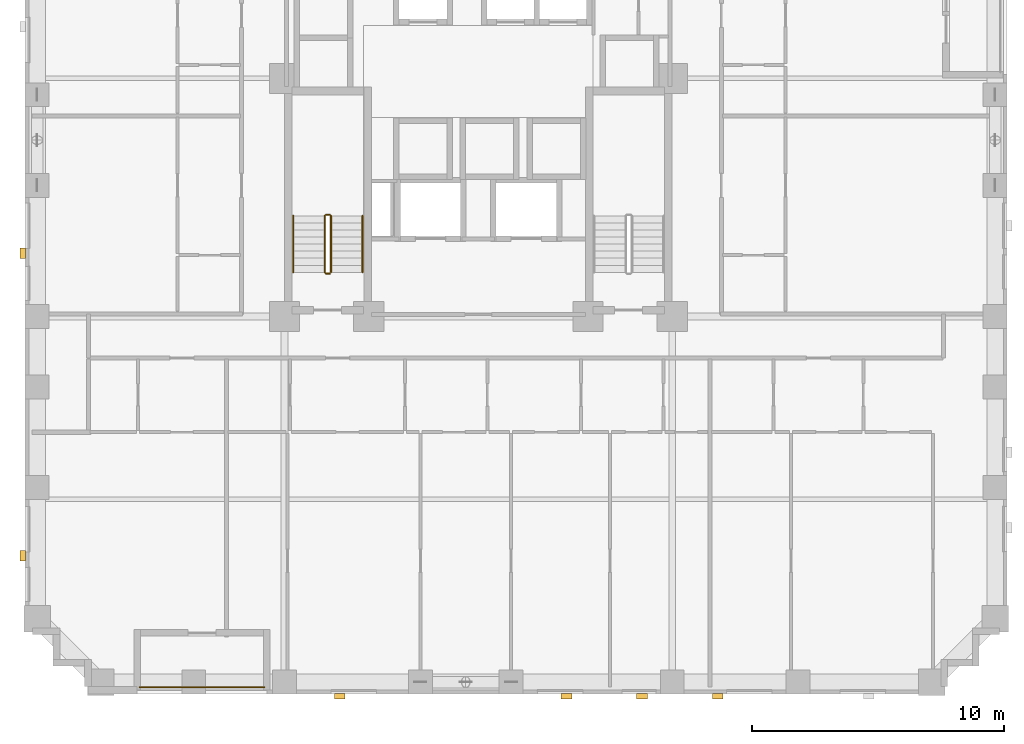
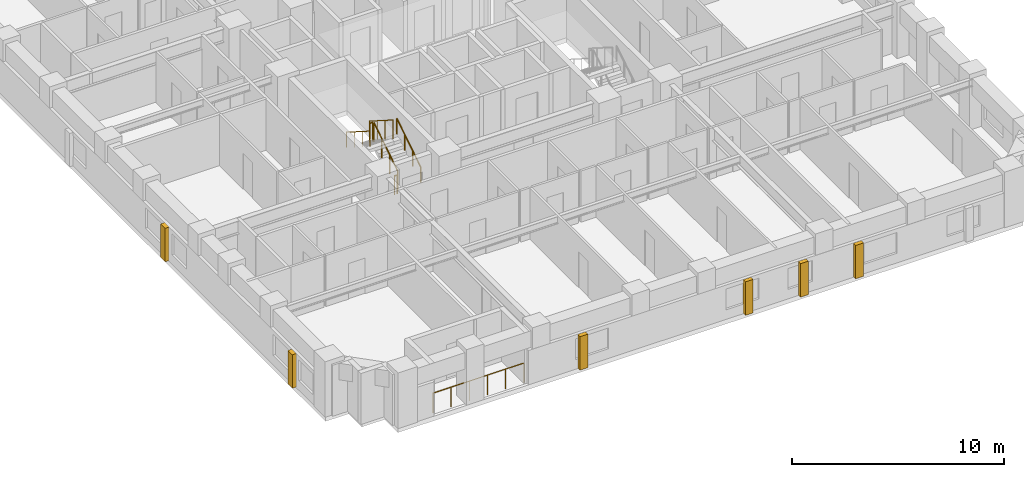
# One storey, part 11 of 13: 7 railings, 6 coverings.
"""IFC4 building model written with IfcOpenShell, lengths in metres."""

from ifc_helpers import new_model, si_unit, derived_unit, direction, frame, origin, origin_2d, place, context, subcontext, project, spatial, rectangle, circle, extrude, material, layer, layer_set, type_object, element, save


model = new_model("IFC4")

# Units and contexts
model_context = context("Model", 3, precision=1e-05, world=origin(), true_north=direction((0.0, 1.0)))
body_context = subcontext(model_context, "Body", "Model", "MODEL_VIEW")
ifc_project = project(units=[si_unit("LENGTHUNIT", "METRE"), si_unit("AREAUNIT", "SQUARE_METRE"), si_unit("VOLUMEUNIT", "CUBIC_METRE"), si_unit("PLANEANGLEUNIT", "RADIAN"), si_unit("MASSUNIT", "GRAM", prefix="KILO"), derived_unit("THERMALTRANSMITTANCEUNIT", [(si_unit("MASSUNIT", "GRAM", prefix="KILO"), 1), (si_unit("TIMEUNIT", "SECOND"), -3), (si_unit("THERMODYNAMICTEMPERATUREUNIT", "KELVIN"), -1)])], contexts=[model_context])

# Site, building, storey
site_placement = place(None, origin())
site = spatial("IfcSite", under=ifc_project, at=site_placement, CompositionType="ELEMENT")
building_placement = place(site_placement, origin())
building = spatial("IfcBuilding", under=site, at=building_placement, Name="Korrvale Station Residences", CompositionType="ELEMENT")
storey_placement = place(building_placement, frame((0.0, 0.0, 35.39990234375)))
storey = spatial("IfcBuildingStorey", under=building, at=storey_placement, Name="L08", CompositionType="ELEMENT", Elevation=35.39990234375)

# Coverings
ifc_material_1 = material(Name="Architectural precast concrete C45/55", Category="concrete")
ifc_layer = layer(ifc_material_1, 0.219970703125, Name="Architectural precast concrete C45/55")
ifc_layer_set = layer_set([ifc_layer], Name="Architectural precast concrete C45/55")
covering_type = type_object("IfcCoveringType", Name="COV-PIER-400", PredefinedType="CLADDING", material=ifc_layer_set)
for number, where, z_axis, x_axis, name in (
    (1, (35.0, -0.090087890625, 0.02490234375), (0.0, 0.0, 1.0), (1.0, 0.0, 0.0), "L08 Architectural Precast Facade Pier 02"),
    (2, (32.0, -0.090087890625, 0.02490234375), (0.0, 0.0, 1.0), (1.0, 0.0, 0.0), "L08 Architectural Precast Facade Pier 03"),
    (3, (29.0, -0.090087890625, 0.02490234375), (0.0, 0.0, 1.0), (1.0, 0.0, 0.0), "L08 Architectural Precast Facade Pier 04"),
    (4, (20.0, -0.090087890625, 0.02490234375), (0.0, 0.0, 1.0), (1.0, 0.0, 0.0), "L08 Architectural Precast Facade Pier 05"),
    (5, (7.409912109375, 5.5, 0.02490234375), (0.0, 0.0, 1.0), (0.0, 1.0, 0.0), "L08 Architectural Precast Facade Pier 12"),
    (6, (7.409912109375, 17.5, 0.02490234375), (0.0, 0.0, 1.0), (0.0, 1.0, 0.0), "L08 Architectural Precast Facade Pier 13"),
):
    element("IfcCovering", number, at=place(storey_placement, frame(where, z_axis=z_axis, x_axis=x_axis)), inside=storey, type_object=covering_type, Name=name, PredefinedType="CLADDING", context=body_context, shape_type="SweptSolid", body=[
        extrude(rectangle(XDim=0.419921875, YDim=0.219970703125, at=origin_2d()), origin(), (0.0, 0.0, 1.0), 1.925048828125),
    ])

# Railings
ifc_material_2 = material(Name="Powder-coated aluminium picket loggia guard", Category="aluminium")
railing_type_1 = type_object("IfcRailingType", Name="RLG-BAL-1150", PredefinedType="GUARDRAIL", material=ifc_material_2)
railing_1_placement = place(storey_placement, frame((12.050048828125, 0.27001953125, 0.0)))
element("IfcRailing", 7, at=railing_1_placement, inside=storey, type_object=railing_type_1, Name="L08 Recessed Loggia Guardrail BAL-L08-S1", PredefinedType="GUARDRAIL", context=body_context, shape_type="SweptSolid", body=[
    extrude(circle(Radius=0.02392578125, at=origin_2d()), frame((0.0, 0.0, 1.1259765625), z_axis=(1.0, 0.0, 0.0), x_axis=(0.0, 1.0, 0.0)), (0.0, 0.0, 1.0), 4.949951171875),
    extrude(circle(Radius=0.02099609375, at=origin_2d()), origin(), (0.0, 0.0, 1.0), 1.101806640625),
    extrude(circle(Radius=0.02099609375, at=origin_2d()), frame((0.989990234375, 0.0, 0.0)), (0.0, 0.0, 1.0), 1.101806640625),
    extrude(circle(Radius=0.02099609375, at=origin_2d()), frame((1.97998046875, 0.0, 0.0)), (0.0, 0.0, 1.0), 1.101806640625),
    extrude(circle(Radius=0.02099609375, at=origin_2d()), frame((2.969970703125, 0.0, 0.0)), (0.0, 0.0, 1.0), 1.101806640625),
    extrude(circle(Radius=0.02099609375, at=origin_2d()), frame((3.9599609375, 0.0, 0.0)), (0.0, 0.0, 1.0), 1.101806640625),
    extrude(circle(Radius=0.02099609375, at=origin_2d()), frame((4.949951171875, 0.0, 0.0)), (0.0, 0.0, 1.0), 1.101806640625),
])
ifc_material_3 = material(Name="Brushed stainless-steel continuous stair handrail", Category="steel")
railing_type_2 = type_object("IfcRailingType", Name="RLG-SHND-900", PredefinedType="HANDRAIL", material=ifc_material_3)
railing_2_placement = place(storey_placement, frame((20.89990234375, 16.75, 0.177978515625)))
element("IfcRailing", 8, at=railing_2_placement, inside=storey, type_object=railing_type_2, Name="L08 ST-1 stair handrail 1", PredefinedType="HANDRAIL", context=body_context, shape_type="SweptSolid", body=[
    extrude(circle(Radius=0.02392578125, at=origin_2d()), frame((0.0, 0.0, 0.8759765625), z_axis=(0.0, 0.8442293374, 0.53598211339), x_axis=(-1.0, 0.0, 0.0)), (0.0, 0.0, 1.0), 2.6533203125),
    extrude(circle(Radius=0.02099609375, at=origin_2d()), origin(), (0.0, 0.0, 1.0), 0.851806640625),
    extrude(circle(Radius=0.02099609375, at=origin_2d()), frame((0.0, 0.74658203125, 0.47412109375)), (0.0, 0.0, 1.0), 0.851806640625),
    extrude(circle(Radius=0.02099609375, at=origin_2d()), frame((0.0, 1.493408203125, 0.947998046875)), (0.0, 0.0, 1.0), 0.851806640625),
    extrude(circle(Radius=0.02099609375, at=origin_2d()), frame((0.0, 2.239990234375, 1.422119140625)), (0.0, 0.0, 1.0), 0.851806640625),
])
railing_3_placement = place(storey_placement, frame((18.14990234375, 18.989990234375, 1.77783203125)))
element("IfcRailing", 9, at=railing_3_placement, inside=storey, type_object=railing_type_2, Name="L08 ST-1 stair handrail 2", PredefinedType="HANDRAIL", context=body_context, shape_type="SweptSolid", body=[
    extrude(circle(Radius=0.02392578125, at=origin_2d()), frame((0.0, 0.0, 0.8759765625), z_axis=(0.0, -0.84418770128, 0.536047689118), x_axis=(1.0, 0.0, 0.0)), (0.0, 0.0, 1.0), 2.6533203125),
    extrude(circle(Radius=0.02099609375, at=origin_2d()), origin(), (0.0, 0.0, 1.0), 0.851806640625),
    extrude(circle(Radius=0.02099609375, at=origin_2d()), frame((0.0, -0.74658203125, 0.47412109375)), (0.0, 0.0, 1.0), 0.851806640625),
    extrude(circle(Radius=0.02099609375, at=origin_2d()), frame((0.0, -1.493408203125, 0.9482421875)), (0.0, 0.0, 1.0), 0.851806640625),
    extrude(circle(Radius=0.02099609375, at=origin_2d()), frame((0.0, -2.239990234375, 1.42236328125)), (0.0, 0.0, 1.0), 0.851806640625),
])
ifc_material_4 = material(Name="Galvanised painted tubular steel stair guard", Category="steel")
railing_type_3 = type_object("IfcRailingType", Name="RLG-STR-1100", PredefinedType="GUARDRAIL", material=ifc_material_4)
railing_4_placement = place(storey_placement, frame((19.64990234375, 16.75, 0.177978515625)))
element("IfcRailing", 10, at=railing_4_placement, inside=storey, type_object=railing_type_3, Name="L08 ST-1 stair guard 1", PredefinedType="GUARDRAIL", context=body_context, shape_type="SweptSolid", body=[
    extrude(circle(Radius=0.02392578125, at=origin_2d()), frame((0.0, 0.0, 1.076171875), z_axis=(0.0, 0.8442293374, 0.53598211339), x_axis=(-1.0, 0.0, 0.0)), (0.0, 0.0, 1.0), 2.6533203125),
    extrude(circle(Radius=0.02099609375, at=origin_2d()), origin(), (0.0, 0.0, 1.0), 1.052001953125),
    extrude(circle(Radius=0.02099609375, at=origin_2d()), frame((0.0, 0.74658203125, 0.47412109375)), (0.0, 0.0, 1.0), 1.052001953125),
    extrude(circle(Radius=0.02099609375, at=origin_2d()), frame((0.0, 1.493408203125, 0.947998046875)), (0.0, 0.0, 1.0), 1.052001953125),
    extrude(circle(Radius=0.02099609375, at=origin_2d()), frame((0.0, 2.239990234375, 1.422119140625)), (0.0, 0.0, 1.0), 1.052001953125),
])
railing_5_placement = place(storey_placement, frame((19.60009765625, 19.0400390625, 1.60009765625)))
element("IfcRailing", 11, at=railing_5_placement, inside=storey, type_object=railing_type_3, Name="L08 ST-1 stair guard 2", PredefinedType="GUARDRAIL", context=body_context, shape_type="SweptSolid", body=[
    extrude(circle(Radius=0.02392578125, at=origin_2d()), frame((0.0, 0.0, 1.076171875), z_axis=(-1.0, 0.0, 0.0), x_axis=(0.0, -1.0, 0.0)), (0.0, 0.0, 1.0), 0.150146484375),
    extrude(circle(Radius=0.02099609375, at=origin_2d()), origin(), (0.0, 0.0, 1.0), 1.052001953125),
    extrude(circle(Radius=0.02099609375, at=origin_2d()), frame((-0.150146484375, 0.0, 0.0)), (0.0, 0.0, 1.0), 1.052001953125),
])
railing_6_placement = place(storey_placement, frame((19.39990234375, 18.989990234375, 1.77783203125)))
element("IfcRailing", 12, at=railing_6_placement, inside=storey, type_object=railing_type_3, Name="L08 ST-1 stair guard 3", PredefinedType="GUARDRAIL", context=body_context, shape_type="SweptSolid", body=[
    extrude(circle(Radius=0.02392578125, at=origin_2d()), frame((0.0, 0.0, 1.076171875), z_axis=(0.0, -0.84418770128, 0.536047689118), x_axis=(1.0, 0.0, 0.0)), (0.0, 0.0, 1.0), 2.6533203125),
    extrude(circle(Radius=0.02099609375, at=origin_2d()), origin(), (0.0, 0.0, 1.0), 1.052001953125),
    extrude(circle(Radius=0.02099609375, at=origin_2d()), frame((0.0, -0.74658203125, 0.47412109375)), (0.0, 0.0, 1.0), 1.052001953125),
    extrude(circle(Radius=0.02099609375, at=origin_2d()), frame((0.0, -1.493408203125, 0.9482421875)), (0.0, 0.0, 1.0), 1.052001953125),
    extrude(circle(Radius=0.02099609375, at=origin_2d()), frame((0.0, -2.239990234375, 1.42236328125)), (0.0, 0.0, 1.0), 1.052001953125),
])
railing_7_placement = place(storey_placement, frame((19.60009765625, 16.699951171875, 0.0)))
element("IfcRailing", 13, at=railing_7_placement, inside=storey, type_object=railing_type_3, Name="L08 ST-1 stair guard 4", PredefinedType="GUARDRAIL", context=body_context, shape_type="SweptSolid", body=[
    extrude(circle(Radius=0.02392578125, at=origin_2d()), frame((0.0, 0.0, 1.076171875), z_axis=(-1.0, 0.0, 0.0), x_axis=(0.0, -1.0, 0.0)), (0.0, 0.0, 1.0), 0.150146484375),
    extrude(circle(Radius=0.02099609375, at=origin_2d()), origin(), (0.0, 0.0, 1.0), 1.052001953125),
    extrude(circle(Radius=0.02099609375, at=origin_2d()), frame((-0.150146484375, 0.0, 0.0)), (0.0, 0.0, 1.0), 1.052001953125),
])

save(model, "model.ifc")
